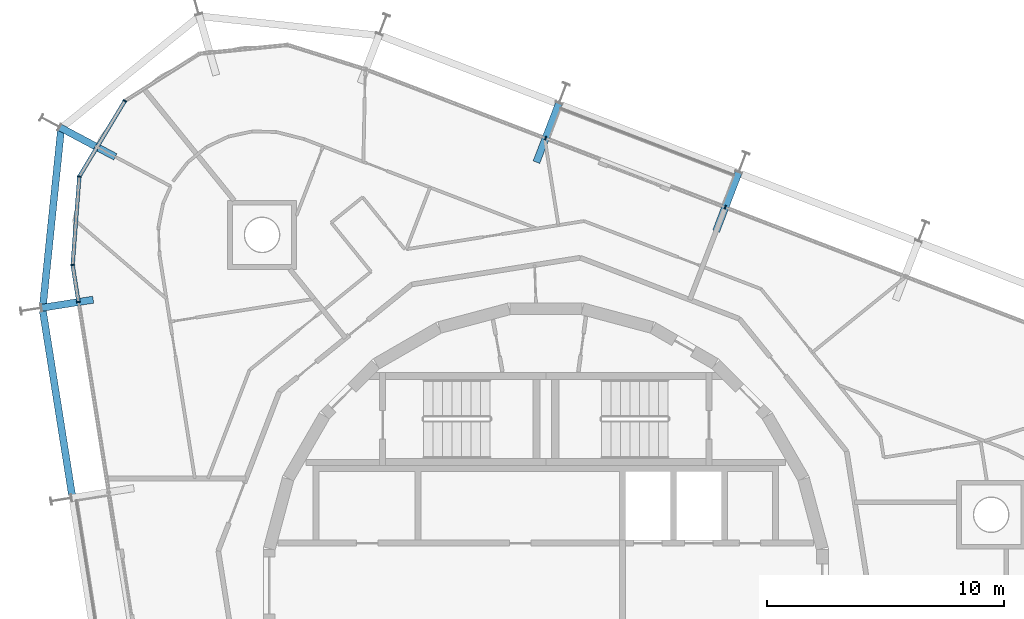
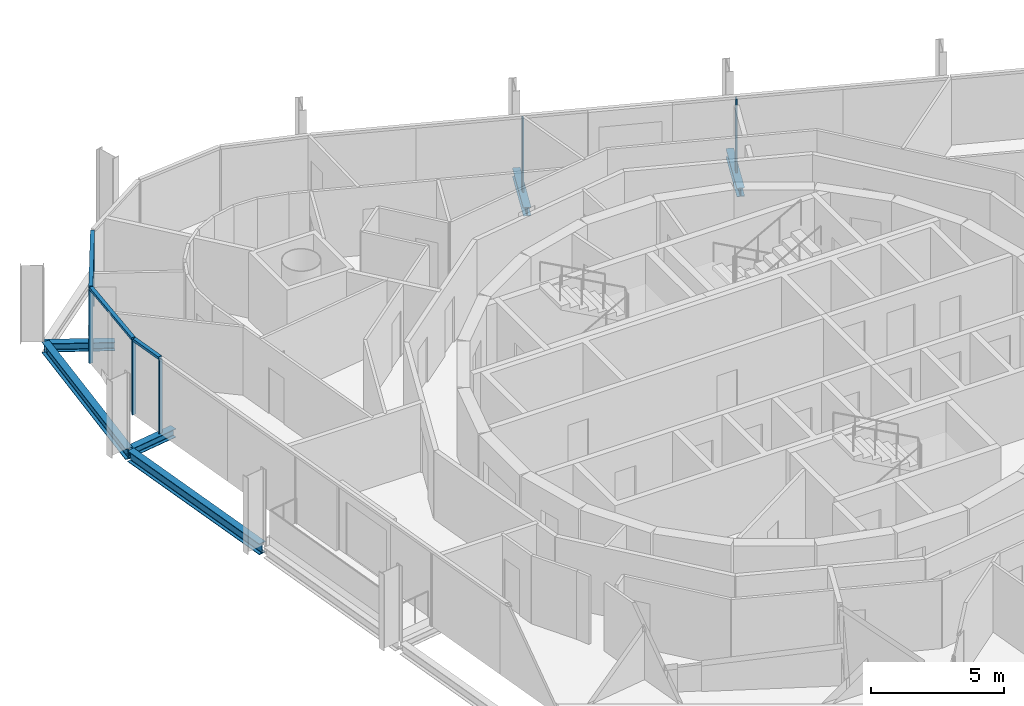
# One storey, part 6 of 17: 9 members, 6 beams, 3 elements without a shape of their own.
"""IFC4 building model written with IfcOpenShell, lengths in metres."""

from ifc_helpers import new_model, si_unit, direction, frame, origin, origin_2d, place, context, subcontext, project, spatial, rectangle, i_section, extrude, material, layer, layer_set, material_profile, profile_set, type_object, element, aggregate, save


model = new_model("IFC4")

# Units and contexts
model_context = context("Model", 3, precision=1e-05, world=origin(), true_north=direction((0.0, 1.0)))
body_context = subcontext(model_context, "Body", "Model", "MODEL_VIEW")
ifc_project = project(units=[si_unit("LENGTHUNIT", "METRE"), si_unit("AREAUNIT", "SQUARE_METRE"), si_unit("VOLUMEUNIT", "CUBIC_METRE"), si_unit("PLANEANGLEUNIT", "RADIAN"), si_unit("MASSUNIT", "GRAM", prefix="KILO")], contexts=[model_context])

# Site, building, storey
site_placement = place(None, origin())
site = spatial("IfcSite", under=ifc_project, at=site_placement, CompositionType="ELEMENT")
building_placement = place(site_placement, origin())
building = spatial("IfcBuilding", under=site, at=building_placement, Name="Spindle Arch Residences", CompositionType="ELEMENT")
storey_placement = place(building_placement, frame((0.0, 0.0, 284.39990234375)))
storey = spatial("IfcBuildingStorey", under=building, at=storey_placement, Name="L73", CompositionType="ELEMENT", Elevation=284.39990234375)

# Curtain wall, members
ifc_material_1 = material(Name="Aluminium bronze unitised frame with tinted glass", Category="aluminium")
ifc_layer_1 = layer(ifc_material_1, 0.159912109375)
ifc_layer_set_1 = layer_set([ifc_layer_1], Name="CW-C typical residential unitised wall")
curtain_wall_type_1 = type_object("IfcCurtainWallType", Name="CW-C typical residential unitised wall", PredefinedType="NOTDEFINED", material=ifc_layer_set_1)
curtain_wall_1_placement = place(storey_placement, origin())
curtain_wall_1 = element("IfcCurtainWall", 1, at=curtain_wall_1_placement, inside=storey, type_object=curtain_wall_type_1, Name="CW-C L73 run 2", PredefinedType="NOTDEFINED")
ifc_material_2 = material(Name="Aluminium bronze anodised mullion", Category="aluminium")
ifc_material_profile_1 = material_profile(ifc_material_2, rectangle(XDim=0.159912109375, YDim=0.06005859375, at=origin_2d()), Name="MU 60x160")
ifc_profile_set_1 = profile_set([ifc_material_profile_1], Name="Aluminium bronze anodised mullion")
member_type_1 = type_object("IfcMemberType", Name="Bronze mullion 60x160", PredefinedType="MULLION", material=ifc_profile_set_1)
member_1_placement = place(storey_placement, frame((7.560302734375, 15.9248046875, -0.3798828125), z_axis=(0.0, 0.0, 1.0), x_axis=(-0.358367949545, -0.933580426497, 0.0)))
member_1 = element("IfcMember", 2, at=member_1_placement, type_object=member_type_1, Name="CW-C mullion 06", PredefinedType="MULLION", context=body_context, shape_type="SweptSolid", body=[
    extrude(rectangle(XDim=0.159912109375, YDim=0.06005859375, at=origin_2d()), origin(), (0.0, 0.0, 1.0), 3.3798828125),
])
member_2_placement = place(storey_placement, frame((-0.0087890625, 18.830322265625, -0.3798828125), z_axis=(0.0, 0.0, 1.0), x_axis=(-0.358367949545, -0.933580426497, 0.0)))
member_2 = element("IfcMember", 3, at=member_2_placement, type_object=member_type_1, Name="CW-C mullion 07", PredefinedType="MULLION", context=body_context, shape_type="SweptSolid", body=[
    extrude(rectangle(XDim=0.159912109375, YDim=0.06005859375, at=origin_2d()), origin(), (0.0, 0.0, 1.0), 3.3798828125),
])
aggregate(curtain_wall_1, [member_1, member_2])

ifc_material_3 = material(Name="Aluminium bronze unitised frame with tinted glass", Category="aluminium")
ifc_layer_2 = layer(ifc_material_3, 0.159912109375)
ifc_layer_set_2 = layer_set([ifc_layer_2], Name="CW-D corner wall on the fillet arcs")
curtain_wall_type_2 = type_object("IfcCurtainWallType", Name="CW-D corner wall on the fillet arcs", PredefinedType="NOTDEFINED", material=ifc_layer_set_2)
curtain_wall_2_placement = place(storey_placement, origin())
curtain_wall_2 = element("IfcCurtainWall", 4, at=curtain_wall_2_placement, inside=storey, type_object=curtain_wall_type_2, Name="CW-D L73 run 3", PredefinedType="NOTDEFINED")
member_3_placement = place(storey_placement, frame((-17.732421875, 20.406982421875, -0.3798828125), z_axis=(0.0, 0.0, 1.0), x_axis=(0.857167301925, -0.515038072875, 0.0)))
member_3 = element("IfcMember", 5, at=member_3_placement, type_object=member_type_1, Name="CW-D mullion 03", PredefinedType="MULLION", context=body_context, shape_type="SweptSolid", body=[
    extrude(rectangle(XDim=0.159912109375, YDim=0.06005859375, at=origin_2d()), origin(), (0.0, 0.0, 1.0), 3.3798828125),
])
member_4_placement = place(storey_placement, frame((-19.65185546875, 17.212646484375, -0.3798828125), z_axis=(0.0, 0.0, 1.0), x_axis=(0.997141344139, -0.07555884997, 0.0)))
member_4 = element("IfcMember", 6, at=member_4_placement, type_object=member_type_1, Name="CW-D mullion 04", PredefinedType="MULLION", context=body_context, shape_type="SweptSolid", body=[
    extrude(rectangle(XDim=0.159912109375, YDim=0.06005859375, at=origin_2d()), origin(), (0.0, 0.0, 1.0), 3.3798828125),
])
member_5_placement = place(storey_placement, frame((-19.933349609375, 13.49658203125, -0.3798828125), z_axis=(0.0, 0.0, 1.0), x_axis=(0.987688340595, 0.15643446504, 0.0)))
member_5 = element("IfcMember", 7, at=member_5_placement, type_object=member_type_1, Name="CW-D mullion 05", PredefinedType="MULLION", context=body_context, shape_type="SweptSolid", body=[
    extrude(rectangle(XDim=0.159912109375, YDim=0.06005859375, at=origin_2d()), origin(), (0.0, 0.0, 1.0), 3.3798828125),
])

# Curtain wall, member
curtain_wall_3_placement = place(storey_placement, origin())
curtain_wall_3 = element("IfcCurtainWall", 8, at=curtain_wall_3_placement, inside=storey, type_object=curtain_wall_type_1, Name="CW-C L73 run 4", PredefinedType="NOTDEFINED")
member_6_placement = place(storey_placement, frame((-19.685546875, 11.931396484375, -0.3798828125), z_axis=(0.0, 0.0, 1.0), x_axis=(0.987688340595, 0.15643446504, 0.0)))
member_6 = element("IfcMember", 9, at=member_6_placement, type_object=member_type_1, Name="CW-C mullion 11", PredefinedType="MULLION", context=body_context, shape_type="SweptSolid", body=[
    extrude(rectangle(XDim=0.159912109375, YDim=0.06005859375, at=origin_2d()), origin(), (0.0, 0.0, 1.0), 3.3798828125),
])
aggregate(curtain_wall_3, [member_6])

# Member
ifc_material_4 = material(Name="Aluminium bronze anodised transom", Category="aluminium")
ifc_material_profile_2 = material_profile(ifc_material_4, rectangle(XDim=0.159912109375, YDim=0.1201171875, at=origin_2d()), Name="TR 120x160")
ifc_profile_set_2 = profile_set([ifc_material_profile_2], Name="Aluminium bronze anodised transom")
member_type_2 = type_object("IfcMemberType", Name="Bronze transom 120x160", PredefinedType="USERDEFINED", material=ifc_profile_set_2)
member_7_placement = place(storey_placement, frame((-17.747802734375, 20.38134765625, 3.06005859375), z_axis=(-0.515014612012, -0.857181398196, 0.0), x_axis=(0.857181398196, -0.515014612012, 0.0)))
member_7 = element("IfcMember", 10, at=member_7_placement, type_object=member_type_2, Name="CW-D transom 03", ObjectType="TRANSOM", PredefinedType="USERDEFINED", context=body_context, shape_type="SweptSolid", body=[
    extrude(rectangle(XDim=0.159912109375, YDim=0.1201171875, at=origin_2d()), origin(), (0.0, 0.0, 1.0), 3.666748046875),
])

member_8_placement = place(storey_placement, frame((-19.654052734375, 17.1826171875, 3.06005859375), z_axis=(-0.07557120479, -0.99714040787, 0.0), x_axis=(0.99714040787, -0.07557120479, 0.0)))
member_8 = element("IfcMember", 11, at=member_8_placement, type_object=member_type_2, Name="CW-D transom 04", ObjectType="TRANSOM", PredefinedType="USERDEFINED", context=body_context, shape_type="SweptSolid", body=[
    extrude(rectangle(XDim=0.159912109375, YDim=0.1201171875, at=origin_2d()), origin(), (0.0, 0.0, 1.0), 3.666748046875),
])

member_9_placement = place(storey_placement, frame((-19.9287109375, 13.466796875, 3.06005859375), z_axis=(0.156447707445, -0.987686243113, 0.0), x_axis=(0.987686243113, 0.156447707445, 0.0)))
member_9 = element("IfcMember", 12, at=member_9_placement, type_object=member_type_2, Name="CW-D transom 05", ObjectType="TRANSOM", PredefinedType="USERDEFINED", context=body_context, shape_type="SweptSolid", body=[
    extrude(rectangle(XDim=0.159912109375, YDim=0.1201171875, at=origin_2d()), origin(), (0.0, 0.0, 1.0), 1.524658203125),
])

aggregate(curtain_wall_2, [member_3, member_7, member_4, member_8, member_5, member_9])

# Beams
ifc_material_5 = material(Name="Steel S460ML, intumescent coating R 120", Category="steel")
ifc_material_profile_3 = material_profile(ifc_material_5, i_section(OverallWidth=0.300048828125, OverallDepth=0.5, WebThickness=0.014404296875, FlangeThickness=0.028076171875, FilletRadius=0.027099609375, at=origin_2d()), Name="HEB 500")
ifc_profile_set_3 = profile_set([ifc_material_profile_3], Name="Steel S460ML, intumescent coating R 120")
beam_type_1 = type_object("IfcBeamType", Name="Exoskeleton edge beam HEB 500", PredefinedType="BEAM", material=ifc_profile_set_3)
beam_1_placement = place(storey_placement, frame((-20.41015625, 19.294189453125, -0.6298828125), z_axis=(-0.102188803119, -0.99476502176, 0.0), x_axis=(0.99476502176, -0.102188803119, 0.0)))
element("IfcBeam", 13, at=beam_1_placement, inside=storey, type_object=beam_type_1, Name="Exoskeleton edge beam 11", PredefinedType="BEAM", context=body_context, shape_type="SweptSolid", body=[
    extrude(i_section(OverallWidth=0.300048828125, OverallDepth=0.5, WebThickness=0.014404296875, FlangeThickness=0.028076171875, FilletRadius=0.027099609375, at=origin_2d()), origin(), (0.0, 0.0, 1.0), 7.6689453125),
])
beam_2_placement = place(storey_placement, frame((-21.186279296875, 11.56201171875, -0.6298828125), z_axis=(0.156453001738, -0.987685404492, 0.0), x_axis=(0.987685404492, 0.156453001738, 0.0)))
element("IfcBeam", 14, at=beam_2_placement, inside=storey, type_object=beam_type_1, Name="Exoskeleton edge beam 12", PredefinedType="BEAM", context=body_context, shape_type="SweptSolid", body=[
    extrude(i_section(OverallWidth=0.300048828125, OverallDepth=0.5, WebThickness=0.014404296875, FlangeThickness=0.028076171875, FilletRadius=0.027099609375, at=origin_2d()), origin(), (0.0, 0.0, 1.0), 7.84765625),
])
ifc_material_6 = material(Name="Steel S460ML, intumescent coating R 120", Category="steel")
ifc_material_profile_4 = material_profile(ifc_material_6, i_section(OverallWidth=0.300048828125, OverallDepth=0.389892578125, WebThickness=0.010986328125, FlangeThickness=0.01904296875, FilletRadius=0.027099609375, at=origin_2d()), Name="HEA 400")
ifc_profile_set_4 = profile_set([ifc_material_profile_4], Name="Steel S460ML, intumescent coating R 120")
beam_type_2 = type_object("IfcBeamType", Name="Floor outrigger HEA 400", PredefinedType="BEAM", material=ifc_profile_set_4)
for number, where, z_axis, x_axis, name in (
    (15, (8.123046875, 17.390625, -0.574951171875), (-0.358392499624, -0.933571002234, 0.0), (0.933571002234, -0.358392499624, 0.0), "Floor outrigger 7"),
    (16, (0.553955078125, 20.296142578125, -0.574951171875), (-0.358392499624, -0.933571002234, 0.0), (0.933571002234, -0.358392499624, 0.0), "Floor outrigger 8"),
    (17, (-20.472900390625, 19.29150390625, -0.574951171875), (0.882885392442, -0.469588526065, 0.0), (0.469588526065, 0.882885392442, 0.0), "Floor outrigger 11"),
):
    element("IfcBeam", number, at=place(storey_placement, frame(where, z_axis=z_axis, x_axis=x_axis)), inside=storey, type_object=beam_type_2, Name=name, PredefinedType="BEAM", context=body_context, shape_type="SweptSolid", body=[
        extrude(i_section(OverallWidth=0.300048828125, OverallDepth=0.389892578125, WebThickness=0.010986328125, FlangeThickness=0.01904296875, FilletRadius=0.027099609375, at=origin_2d()), origin(), (0.0, 0.0, 1.0), 2.64990234375),
    ])
beam_3_placement = place(storey_placement, frame((-21.236083984375, 11.685791015625, -0.574951171875), z_axis=(0.987697139372, 0.156378901635, 0.0), x_axis=(-0.156378901635, 0.987697139372, 0.0)))
element("IfcBeam", 18, at=beam_3_placement, inside=storey, type_object=beam_type_2, Name="Floor outrigger 12", PredefinedType="BEAM", context=body_context, shape_type="SweptSolid", body=[
    extrude(i_section(OverallWidth=0.300048828125, OverallDepth=0.389892578125, WebThickness=0.010986328125, FlangeThickness=0.01904296875, FilletRadius=0.027099609375, at=origin_2d()), origin(), (0.0, 0.0, 1.0), 2.1982421875),
])

save(model, "model.ifc")
